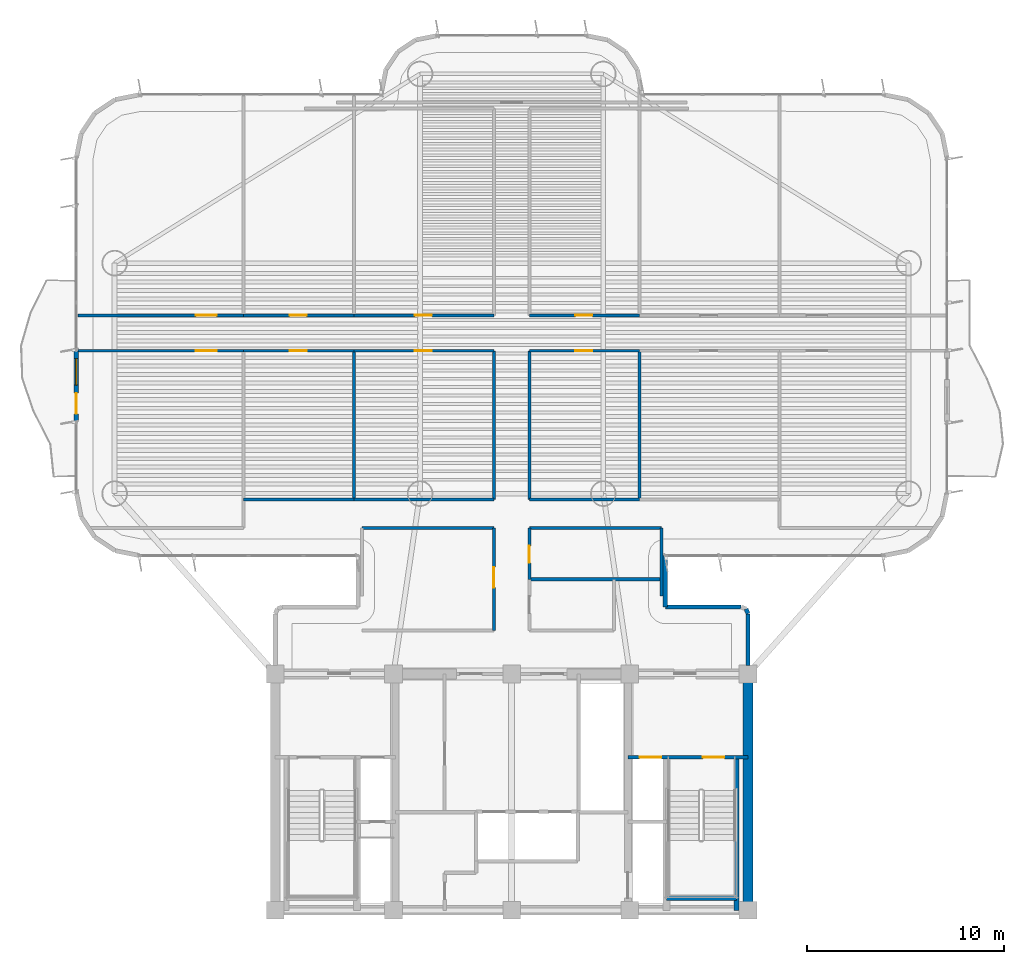
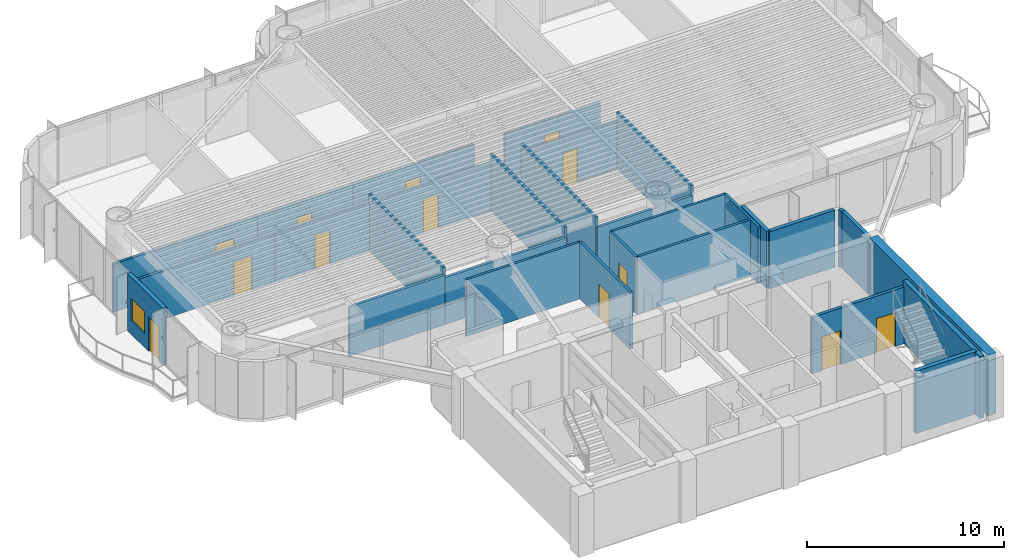
# One storey, part 10 of 16: 30 walls, 13 doors, 1 window, 14 openings.
"""IFC4 building model written with IfcOpenShell, lengths in metres."""

from ifc_helpers import new_model, si_unit, direction, frame, frame_2d, origin, origin_2d, place, context, subcontext, project, spatial, rectangle, extrude, source, transform, mapped, material, layer, layer_set, type_object, element, fill, save


model = new_model("IFC4")

# Units and contexts
model_context = context("Model", 3, precision=1e-05, world=origin(), true_north=direction((0.0, 1.0)))
body_context = subcontext(model_context, "Body", "Model", "MODEL_VIEW")
ifc_project = project(units=[si_unit("LENGTHUNIT", "METRE"), si_unit("AREAUNIT", "SQUARE_METRE"), si_unit("VOLUMEUNIT", "CUBIC_METRE"), si_unit("PLANEANGLEUNIT", "RADIAN"), si_unit("MASSUNIT", "GRAM", prefix="KILO")], contexts=[model_context])

# Site, building, storey
site_placement = place(None, origin())
site = spatial("IfcSite", under=ifc_project, at=site_placement, CompositionType="ELEMENT")
building_placement = place(site_placement, origin())
building = spatial("IfcBuilding", under=site, at=building_placement, Name="Brelvock Crest Care Tower", CompositionType="ELEMENT")
storey_placement = place(building_placement, frame((0.0, 0.0, 123.840087890625)))
storey = spatial("IfcBuildingStorey", under=building, at=storey_placement, Name="L31", CompositionType="ELEMENT", Elevation=123.840087890625)

# Walls
ifc_material_1 = material(Name="Concrete S80 (80 MPa)", Category="concrete")
ifc_layer_1 = layer(ifc_material_1, 0.5, Name="WL-CS2")
ifc_layer_set_1 = layer_set([ifc_layer_1], Name="Concrete S80 (80 MPa)")
wall_type_1 = type_object("IfcWallType", Name="WL-CS2", PredefinedType="SHEAR", material=ifc_layer_set_1)
wall_1_placement = place(storey_placement, frame((48.0, 18.0, 0.0), z_axis=(0.0, 0.0, 1.0), x_axis=(0.0, -1.0, 0.0)))
element("IfcWall", 1, at=wall_1_placement, inside=storey, type_object=wall_type_1, Name="L31 Core East Shear Wall", PredefinedType="SHEAR", context=body_context, shape_type="SweptSolid", body=[
    extrude(rectangle(XDim=12.0, YDim=0.5, at=frame_2d((6.0, 0.0))), origin(), (0.0, 0.0, 1.0), 3.780029296875),
])
ifc_layer_2 = layer(ifc_material_1, 0.25, Name="WL-CS6")
ifc_layer_set_2 = layer_set([ifc_layer_2], Name="Concrete S80 (80 MPa)")
wall_type_2 = type_object("IfcWallType", Name="WL-CS6", PredefinedType="SHEAR", material=ifc_layer_set_2)
wall_2_placement = place(storey_placement, frame((47.419921875, 6.0, 0.0), z_axis=(0.0, 0.0, 1.0), x_axis=(0.0, 1.0, 0.0)))
element("IfcWall", 2, at=wall_2_placement, inside=storey, type_object=wall_type_2, Name="L31 Core Stair ST-2 East Shear Wall", PredefinedType="SHEAR", context=body_context, shape_type="SweptSolid", body=[
    extrude(rectangle(XDim=7.780029296875, YDim=0.25, at=frame_2d((3.89013671875, 0.0))), origin(), (0.0, 0.0, 1.0), 3.849853515625),
])
wall_3_placement = place(storey_placement, frame((43.85009765625, 6.6201171875, 0.0), z_axis=(0.0, 0.0, 1.0), x_axis=(1.0, 0.0, 0.0)))
element("IfcWall", 3, at=wall_3_placement, inside=storey, type_object=wall_type_2, Name="L31 Core Stair ST-2 South Shear Wall", PredefinedType="SHEAR", context=body_context, shape_type="SweptSolid", body=[
    extrude(rectangle(XDim=3.56982421875, YDim=0.25, at=frame_2d((1.784912109375, 0.0))), origin(), (0.0, 0.0, 1.0), 3.849853515625),
])

# Wall, openings, door, window
ifc_material_2 = material(Name="Precast concrete N40 (40 MPa)", Category="concrete")
ifc_layer_3 = layer(ifc_material_2, 0.239990234375, Name="WL-EX1")
ifc_layer_set_3 = layer_set([ifc_layer_3], Name="Precast concrete N40 (40 MPa)")
wall_type_3 = type_object("IfcWallType", Name="WL-EX1", PredefinedType="SOLIDWALL", material=ifc_layer_set_3)
wall_4_placement = place(storey_placement, frame((13.89990234375, 30.800048828125, 0.0), z_axis=(0.0, 0.0, 1.0), x_axis=(0.0, 1.0, 0.0)))
wall_4 = element("IfcWall", 4, at=wall_4_placement, inside=storey, type_object=wall_type_3, Name="L31 Exterior Spandrel Wall WL-BAL-L31-W", PredefinedType="SOLIDWALL", context=body_context, shape_type="SweptSolid", body=[
    extrude(rectangle(XDim=3.599853515625, YDim=0.239990234375, at=frame_2d((1.7998046875, 0.0))), origin(), (0.0, 0.0, 1.0), 3.530029296875),
])
opening_1_placement = place(wall_4_placement, frame((0.39990234375, 0.0, 0.0)))
opening_1 = element("IfcOpeningElement", 5, at=opening_1_placement, cuts=wall_4, Name="Opening BD-1", PredefinedType="OPENING", context=body_context, shape_type="SweptSolid", body=[
    extrude(rectangle(XDim=1.050048828125, YDim=2.14990234375, at=origin_2d()), frame((0.52490234375, 0.1298828125, 1.074951171875), z_axis=(0.0, -1.0, 0.0), x_axis=(1.0, 0.0, 0.0)), (0.0, 0.0, 1.0), 0.260009765625),
])
opening_2_placement = place(wall_4_placement, frame((1.85009765625, 0.0, 0.85009765625)))
opening_2 = element("IfcOpeningElement", 6, at=opening_2_placement, cuts=wall_4, Name="Opening W-01", PredefinedType="OPENING", context=body_context, shape_type="SweptSolid", body=[
    extrude(rectangle(XDim=1.35009765625, YDim=1.35009765625, at=origin_2d()), frame((0.675048828125, 0.1298828125, 0.675048828125), z_axis=(0.0, -1.0, 0.0), x_axis=(1.0, 0.0, 0.0)), (0.0, 0.0, 1.0), 0.260009765625),
])
ifc_material_3 = material(Name="Dark Glass Double Glazed Low-E", Category="glass")
door_type_1 = type_object("IfcDoorType", Name="DR-BAL1", OperationType="NOTDEFINED", PredefinedType="DOOR", material=ifc_material_3)
shared_shape_1 = source(origin(), body_context, "Body", "SweptSolid", [
    extrude(rectangle(XDim=1.050048828125, YDim=2.14990234375, at=origin_2d()), frame((0.52490234375, 0.02490234375, 1.074951171875), z_axis=(0.0, -1.0, 0.0), x_axis=(1.0, 0.0, 0.0)), (0.0, 0.0, 1.0), 0.050048828125),
])
door_1_placement = place(opening_1_placement, origin())
door_1 = element("IfcDoor", 7, at=door_1_placement, inside=storey, type_object=door_type_1, Name="L31 W Wave Balcony Glazed Door", OperationType="SINGLE_SWING_LEFT", OverallHeight=2.14990234375, OverallWidth=1.050048828125, PredefinedType="DOOR", context=body_context, shape_type="MappedRepresentation", body=[
    mapped(shared_shape_1, transform((0.0, 0.0, 0.0), x_axis=(1.0, 0.0, 0.0), y_axis=(0.0, 1.0, 0.0), z_axis=(0.0, 0.0, 1.0), scale=1.0)),
])
fill(opening_1, door_1)
window_type = type_object("IfcWindowType", Name="WN-EX1", PartitioningType="SINGLE_PANEL", PredefinedType="WINDOW", material=ifc_material_3)
shared_shape_2 = source(origin(), body_context, "Body", "SweptSolid", [
    extrude(rectangle(XDim=1.35009765625, YDim=1.35009765625, at=origin_2d()), frame((0.675048828125, 0.030029296875, 0.675048828125), z_axis=(0.0, -1.0, 0.0), x_axis=(1.0, 0.0, 0.0)), (0.0, 0.0, 1.0), 0.06005859375),
])
window_placement = place(opening_2_placement, origin())
window = element("IfcWindow", 8, at=window_placement, inside=storey, type_object=window_type, Name="L31 W Suite Casement Window", OverallHeight=1.35009765625, OverallWidth=1.35009765625, PartitioningType="SINGLE_PANEL", PredefinedType="WINDOW", context=body_context, shape_type="MappedRepresentation", body=[
    mapped(shared_shape_2, transform((0.0, 0.0, 0.0), x_axis=(1.0, 0.0, 0.0), y_axis=(0.0, 1.0, 0.0), z_axis=(0.0, 0.0, 1.0), scale=1.0)),
])
fill(opening_2, window)

# Walls
ifc_layer_4 = layer(ifc_material_2, 0.215087890625, Name="WL-EX2")
ifc_layer_set_4 = layer_set([ifc_layer_4], Name="Precast concrete N40 (40 MPa)")
wall_type_4 = type_object("IfcWallType", Name="WL-EX2", PredefinedType="SOLIDWALL", material=ifc_layer_set_4)
wall_5_placement = place(storey_placement, frame((47.8974609375, 21.297607421875, 0.0), z_axis=(0.0, 0.0, 1.0), x_axis=(0.382673670509, -0.923883575944, 0.0)))
element("IfcWall", 9, at=wall_5_placement, inside=storey, type_object=wall_type_4, Name="L31 Rounded Corner Wall 00", PredefinedType="SOLIDWALL", context=body_context, shape_type="SweptSolid", body=[
    extrude(rectangle(XDim=0.26806640625, YDim=0.215087890625, at=frame_2d((0.134033203125, 0.0))), origin(), (0.0, 0.0, 1.0), 3.530029296875),
])
wall_6_placement = place(storey_placement, frame((48.0, 21.050048828125, 0.0), z_axis=(0.0, 0.0, 1.0), x_axis=(0.0, -1.0, 0.0)))
element("IfcWall", 10, at=wall_6_placement, inside=storey, type_object=wall_type_4, Name="L31 Rounded Corner Wall 01", PredefinedType="SOLIDWALL", context=body_context, shape_type="SweptSolid", body=[
    extrude(rectangle(XDim=2.6201171875, YDim=0.215087890625, at=frame_2d((1.31005859375, 0.0))), origin(), (0.0, 0.0, 1.0), 3.530029296875),
])
wall_7_placement = place(storey_placement, frame((43.800048828125, 24.0, 0.0), z_axis=(0.0, 0.0, 1.0), x_axis=(0.0, -1.0, 0.0)))
element("IfcWall", 11, at=wall_7_placement, inside=storey, type_object=wall_type_4, Name="L31 Rounded Corner Wall 45", PredefinedType="SOLIDWALL", context=body_context, shape_type="SweptSolid", body=[
    extrude(rectangle(XDim=2.60009765625, YDim=0.215087890625, at=frame_2d((1.300048828125, 0.0))), origin(), (0.0, 0.0, 1.0), 3.530029296875),
])
wall_8_placement = place(storey_placement, frame((43.800048828125, 21.39990234375, 0.0), z_axis=(0.0, 0.0, 1.0), x_axis=(1.0, 0.0, 0.0)))
element("IfcWall", 12, at=wall_8_placement, inside=storey, type_object=wall_type_4, Name="L31 Rounded Corner Wall 46", PredefinedType="SOLIDWALL", context=body_context, shape_type="SweptSolid", body=[
    extrude(rectangle(XDim=3.849853515625, YDim=0.215087890625, at=frame_2d((1.9248046875, 0.0))), origin(), (0.0, 0.0, 1.0), 3.530029296875),
])
ifc_material_4 = material(Name="Masonry Blockwork Acoustic Partition", Category="masonry")
ifc_layer_5 = layer(ifc_material_4, 0.14990234375, Name="WL-INT1")
ifc_layer_set_5 = layer_set([ifc_layer_5], Name="Masonry Blockwork Acoustic Partition")
wall_type_5 = type_object("IfcWallType", Name="WL-INT1", PredefinedType="PARTITIONING", material=ifc_layer_set_5)
for number, where, z_axis, x_axis, name in (
    (13, (28.39990234375, 25.39990234375, 0.0), (0.0, 0.0, 1.0), (1.0, 0.0, 0.0), "L31 Interior Wall WL-BX-L31-THW-N"),
    (14, (36.89990234375, 25.39990234375, 0.0), (0.0, 0.0, 1.0), (1.0, 0.0, 0.0), "L31 Interior Wall WL-BX-L31-THE2-N"),
):
    element("IfcWall", number, at=place(storey_placement, frame(where, z_axis=z_axis, x_axis=x_axis)), inside=storey, type_object=wall_type_5, Name=name, PredefinedType="PARTITIONING", context=body_context, shape_type="SweptSolid", body=[
        extrude(rectangle(XDim=6.7001953125, YDim=0.14990234375, at=frame_2d((3.35009765625, 0.0))), origin(), (0.0, 0.0, 1.0), 3.5),
    ])
wall_9_placement = place(storey_placement, frame((22.39990234375, 26.85009765625, 0.0), z_axis=(0.0, 0.0, 1.0), x_axis=(1.0, 0.0, 0.0)))
element("IfcWall", 15, at=wall_9_placement, inside=storey, type_object=wall_type_5, Name="L31 Interior Wall WL-BX-L31-ISW1-S", PredefinedType="PARTITIONING", context=body_context, shape_type="SweptSolid", body=[
    extrude(rectangle(XDim=5.588134765625, YDim=0.14990234375, at=frame_2d((2.7939453125, 0.0))), origin(), (0.0, 0.0, 1.0), 3.054931640625),
])
wall_10_placement = place(storey_placement, frame((27.988037109375, 26.85009765625, 0.0), z_axis=(0.0, 0.0, 1.0), x_axis=(1.0, 0.0, 0.0)))
element("IfcWall", 16, at=wall_10_placement, inside=storey, type_object=wall_type_5, Name="L31 Interior Wall WL-BX-L31-ISW2-S", PredefinedType="PARTITIONING", context=body_context, shape_type="SweptSolid", body=[
    extrude(rectangle(XDim=7.112060546875, YDim=0.14990234375, at=frame_2d((3.55615234375, 0.0))), origin(), (0.0, 0.0, 1.0), 2.90283203125),
])
wall_11_placement = place(storey_placement, frame((36.89990234375, 26.85009765625, 0.0), z_axis=(0.0, 0.0, 1.0), x_axis=(1.0, 0.0, 0.0)))
element("IfcWall", 17, at=wall_11_placement, inside=storey, type_object=wall_type_5, Name="L31 Interior Wall WL-BX-L31-ISE1-S", PredefinedType="PARTITIONING", context=body_context, shape_type="SweptSolid", body=[
    extrude(rectangle(XDim=5.588134765625, YDim=0.14990234375, at=frame_2d((2.7939453125, 0.0))), origin(), (0.0, 0.0, 1.0), 2.90283203125),
])

# Wall, opening, door
wall_12_placement = place(storey_placement, frame((13.97998046875, 34.39990234375, 0.0), z_axis=(0.0, 0.0, 1.0), x_axis=(1.0, 0.0, 0.0)))
wall_12 = element("IfcWall", 18, at=wall_12_placement, inside=storey, type_object=wall_type_5, Name="L31 Interior Wall WL-RM-L31-SW", PredefinedType="PARTITIONING", context=body_context, shape_type="SweptSolid", body=[
    extrude(rectangle(XDim=8.419921875, YDim=0.14990234375, at=frame_2d((4.2099609375, 0.0))), origin(), (0.0, 0.0, 1.0), 2.98193359375),
])
opening_3_placement = place(wall_12_placement, frame((5.9951171875, 0.0, 0.0)))
opening_3 = element("IfcOpeningElement", 19, at=opening_3_placement, cuts=wall_12, Name="Opening CLD-1", PredefinedType="OPENING", context=body_context, shape_type="SweptSolid", body=[
    extrude(rectangle(XDim=1.050048828125, YDim=2.10009765625, at=origin_2d()), frame((0.52490234375, 0.0849609375, 1.050048828125), z_axis=(0.0, -1.0, 0.0), x_axis=(1.0, 0.0, 0.0)), (0.0, 0.0, 1.0), 0.169921875),
])
ifc_material_5 = material(Name="Engineered Hardwood Timber", Category="wood")
door_type_2 = type_object("IfcDoorType", Name="DR-CLN1", OperationType="NOTDEFINED", PredefinedType="DOOR", material=ifc_material_5)
shared_shape_3 = source(origin(), body_context, "Body", "SweptSolid", [
    extrude(rectangle(XDim=1.050048828125, YDim=2.10009765625, at=origin_2d()), frame((0.52490234375, 0.02490234375, 1.050048828125), z_axis=(0.0, -1.0, 0.0), x_axis=(1.0, 0.0, 0.0)), (0.0, 0.0, 1.0), 0.050048828125),
])
door_2_placement = place(opening_3_placement, origin())
door_2 = element("IfcDoor", 20, at=door_2_placement, inside=storey, type_object=door_type_2, Name="L31 Senior Creative Art Workshop Door SW", OperationType="SINGLE_SWING_LEFT", OverallHeight=2.10009765625, OverallWidth=1.050048828125, PredefinedType="DOOR", context=body_context, shape_type="MappedRepresentation", body=[
    mapped(shared_shape_3, transform((0.0, 0.0, 0.0), x_axis=(1.0, 0.0, 0.0), y_axis=(0.0, 1.0, 0.0), z_axis=(0.0, 0.0, 1.0), scale=1.0)),
])
fill(opening_3, door_2)

wall_13_placement = place(storey_placement, frame((22.39990234375, 34.39990234375, 0.0), z_axis=(0.0, 0.0, 1.0), x_axis=(1.0, 0.0, 0.0)))
wall_13 = element("IfcWall", 21, at=wall_13_placement, inside=storey, type_object=wall_type_5, Name="L31 Interior Wall WL-RM-L31-ISW1", PredefinedType="PARTITIONING", context=body_context, shape_type="SweptSolid", body=[
    extrude(rectangle(XDim=5.588134765625, YDim=0.14990234375, at=frame_2d((2.7939453125, 0.0))), origin(), (0.0, 0.0, 1.0), 2.98193359375),
])
opening_4_placement = place(wall_13_placement, frame((2.333984375, 0.0, 0.0)))
opening_4 = element("IfcOpeningElement", 22, at=opening_4_placement, cuts=wall_13, Name="Opening ID-1", PredefinedType="OPENING", context=body_context, shape_type="SweptSolid", body=[
    extrude(rectangle(XDim=0.860107421875, YDim=2.10009765625, at=origin_2d()), frame((0.43017578125, 0.0849609375, 1.050048828125), z_axis=(0.0, -1.0, 0.0), x_axis=(1.0, 0.0, 0.0)), (0.0, 0.0, 1.0), 0.169921875),
])
door_type_3 = type_object("IfcDoorType", Name="DR-INT1", OperationType="NOTDEFINED", PredefinedType="DOOR", material=ifc_material_5)
shared_shape_4 = source(origin(), body_context, "Body", "SweptSolid", [
    extrude(rectangle(XDim=0.860107421875, YDim=2.10009765625, at=origin_2d()), frame((0.43017578125, 0.02490234375, 1.050048828125), z_axis=(0.0, -1.0, 0.0), x_axis=(1.0, 0.0, 0.0)), (0.0, 0.0, 1.0), 0.050048828125),
])
door_3_placement = place(opening_4_placement, origin())
door_3 = element("IfcDoor", 23, at=door_3_placement, inside=storey, type_object=door_type_3, Name="L31 Resident Music and Bridge Room Door ISW1", OperationType="SINGLE_SWING_LEFT", OverallHeight=2.10009765625, OverallWidth=0.860107421875, PredefinedType="DOOR", context=body_context, shape_type="MappedRepresentation", body=[
    mapped(shared_shape_4, transform((0.0, 0.0, 0.0), x_axis=(1.0, 0.0, 0.0), y_axis=(0.0, 1.0, 0.0), z_axis=(0.0, 0.0, 1.0), scale=1.0)),
])
fill(opening_4, door_3)

wall_14_placement = place(storey_placement, frame((27.988037109375, 34.39990234375, 0.0), z_axis=(0.0, 0.0, 1.0), x_axis=(1.0, 0.0, 0.0)))
wall_14 = element("IfcWall", 24, at=wall_14_placement, inside=storey, type_object=wall_type_5, Name="L31 Interior Wall WL-RM-L31-ISW2", PredefinedType="PARTITIONING", context=body_context, shape_type="SweptSolid", body=[
    extrude(rectangle(XDim=7.112060546875, YDim=0.14990234375, at=frame_2d((3.55615234375, 0.0))), origin(), (0.0, 0.0, 1.0), 2.98193359375),
])
opening_5_placement = place(wall_14_placement, frame((3.095947265625, 0.0, 0.0)))
opening_5 = element("IfcOpeningElement", 25, at=opening_5_placement, cuts=wall_14, Name="Opening ID-1", PredefinedType="OPENING", context=body_context, shape_type="SweptSolid", body=[
    extrude(rectangle(XDim=0.860107421875, YDim=2.10009765625, at=origin_2d()), frame((0.43017578125, 0.0849609375, 1.050048828125), z_axis=(0.0, -1.0, 0.0), x_axis=(1.0, 0.0, 0.0)), (0.0, 0.0, 1.0), 0.169921875),
])
door_4_placement = place(opening_5_placement, origin())
door_4 = element("IfcDoor", 26, at=door_4_placement, inside=storey, type_object=door_type_3, Name="L31 Senior Telehealth Study Door ISW2", OperationType="SINGLE_SWING_LEFT", OverallHeight=2.10009765625, OverallWidth=0.860107421875, PredefinedType="DOOR", context=body_context, shape_type="MappedRepresentation", body=[
    mapped(shared_shape_4, transform((0.0, 0.0, 0.0), x_axis=(1.0, 0.0, 0.0), y_axis=(0.0, 1.0, 0.0), z_axis=(0.0, 0.0, 1.0), scale=1.0)),
])
fill(opening_5, door_4)

wall_15_placement = place(storey_placement, frame((36.89990234375, 34.39990234375, 0.0), z_axis=(0.0, 0.0, 1.0), x_axis=(1.0, 0.0, 0.0)))
wall_15 = element("IfcWall", 27, at=wall_15_placement, inside=storey, type_object=wall_type_5, Name="L31 Interior Wall WL-RM-L31-ISE1", PredefinedType="PARTITIONING", context=body_context, shape_type="SweptSolid", body=[
    extrude(rectangle(XDim=5.588134765625, YDim=0.14990234375, at=frame_2d((2.7939453125, 0.0))), origin(), (0.0, 0.0, 1.0), 2.98193359375),
])
opening_6_placement = place(wall_15_placement, frame((2.333984375, 0.0, 0.0)))
opening_6 = element("IfcOpeningElement", 28, at=opening_6_placement, cuts=wall_15, Name="Opening ID-1", PredefinedType="OPENING", context=body_context, shape_type="SweptSolid", body=[
    extrude(rectangle(XDim=0.860107421875, YDim=2.10009765625, at=origin_2d()), frame((0.43017578125, 0.0849609375, 1.050048828125), z_axis=(0.0, -1.0, 0.0), x_axis=(1.0, 0.0, 0.0)), (0.0, 0.0, 1.0), 0.169921875),
])
door_5_placement = place(opening_6_placement, origin())
door_5 = element("IfcDoor", 29, at=door_5_placement, inside=storey, type_object=door_type_3, Name="L31 Resident Music and Bridge Room Door ISE1", OperationType="SINGLE_SWING_LEFT", OverallHeight=2.10009765625, OverallWidth=0.860107421875, PredefinedType="DOOR", context=body_context, shape_type="MappedRepresentation", body=[
    mapped(shared_shape_4, transform((0.0, 0.0, 0.0), x_axis=(1.0, 0.0, 0.0), y_axis=(0.0, 1.0, 0.0), z_axis=(0.0, 0.0, 1.0), scale=1.0)),
])
fill(opening_6, door_5)

wall_16_placement = place(storey_placement, frame((13.97998046875, 36.199951171875, 0.0), z_axis=(0.0, 0.0, 1.0), x_axis=(1.0, 0.0, 0.0)))
wall_16 = element("IfcWall", 30, at=wall_16_placement, inside=storey, type_object=wall_type_5, Name="L31 Interior Wall WL-RM-L31-NW", PredefinedType="PARTITIONING", context=body_context, shape_type="SweptSolid", body=[
    extrude(rectangle(XDim=8.419921875, YDim=0.14990234375, at=frame_2d((4.2099609375, 0.0))), origin(), (0.0, 0.0, 1.0), 2.98193359375),
])
opening_7_placement = place(wall_16_placement, frame((5.9951171875, 0.0, 0.0)))
opening_7 = element("IfcOpeningElement", 31, at=opening_7_placement, cuts=wall_16, Name="Opening CLD-1", PredefinedType="OPENING", context=body_context, shape_type="SweptSolid", body=[
    extrude(rectangle(XDim=1.050048828125, YDim=2.10009765625, at=origin_2d()), frame((0.52490234375, 0.0849609375, 1.050048828125), z_axis=(0.0, -1.0, 0.0), x_axis=(1.0, 0.0, 0.0)), (0.0, 0.0, 1.0), 0.169921875),
])
door_6_placement = place(opening_7_placement, origin())
door_6 = element("IfcDoor", 32, at=door_6_placement, inside=storey, type_object=door_type_2, Name="L31 Senior Creative Art Workshop Door NW", OperationType="SINGLE_SWING_LEFT", OverallHeight=2.10009765625, OverallWidth=1.050048828125, PredefinedType="DOOR", context=body_context, shape_type="MappedRepresentation", body=[
    mapped(shared_shape_3, transform((0.0, 0.0, 0.0), x_axis=(1.0, 0.0, 0.0), y_axis=(0.0, 1.0, 0.0), z_axis=(0.0, 0.0, 1.0), scale=1.0)),
])
fill(opening_7, door_6)

wall_17_placement = place(storey_placement, frame((22.39990234375, 36.199951171875, 0.0), z_axis=(0.0, 0.0, 1.0), x_axis=(1.0, 0.0, 0.0)))
wall_17 = element("IfcWall", 33, at=wall_17_placement, inside=storey, type_object=wall_type_5, Name="L31 Interior Wall WL-RM-L31-INW1", PredefinedType="PARTITIONING", context=body_context, shape_type="SweptSolid", body=[
    extrude(rectangle(XDim=5.588134765625, YDim=0.14990234375, at=frame_2d((2.7939453125, 0.0))), origin(), (0.0, 0.0, 1.0), 2.98193359375),
])
opening_8_placement = place(wall_17_placement, frame((2.333984375, 0.0, 0.0)))
opening_8 = element("IfcOpeningElement", 34, at=opening_8_placement, cuts=wall_17, Name="Opening ID-1", PredefinedType="OPENING", context=body_context, shape_type="SweptSolid", body=[
    extrude(rectangle(XDim=0.860107421875, YDim=2.10009765625, at=origin_2d()), frame((0.43017578125, 0.0849609375, 1.050048828125), z_axis=(0.0, -1.0, 0.0), x_axis=(1.0, 0.0, 0.0)), (0.0, 0.0, 1.0), 0.169921875),
])
door_7_placement = place(opening_8_placement, origin())
door_7 = element("IfcDoor", 35, at=door_7_placement, inside=storey, type_object=door_type_3, Name="L31 Resident Music and Bridge Room Door INW1", OperationType="SINGLE_SWING_LEFT", OverallHeight=2.10009765625, OverallWidth=0.860107421875, PredefinedType="DOOR", context=body_context, shape_type="MappedRepresentation", body=[
    mapped(shared_shape_4, transform((0.0, 0.0, 0.0), x_axis=(1.0, 0.0, 0.0), y_axis=(0.0, 1.0, 0.0), z_axis=(0.0, 0.0, 1.0), scale=1.0)),
])
fill(opening_8, door_7)

wall_18_placement = place(storey_placement, frame((27.988037109375, 36.199951171875, 0.0), z_axis=(0.0, 0.0, 1.0), x_axis=(1.0, 0.0, 0.0)))
wall_18 = element("IfcWall", 36, at=wall_18_placement, inside=storey, type_object=wall_type_5, Name="L31 Interior Wall WL-RM-L31-INW2", PredefinedType="PARTITIONING", context=body_context, shape_type="SweptSolid", body=[
    extrude(rectangle(XDim=7.112060546875, YDim=0.14990234375, at=frame_2d((3.55615234375, 0.0))), origin(), (0.0, 0.0, 1.0), 2.98193359375),
])
opening_9_placement = place(wall_18_placement, frame((3.095947265625, 0.0, 0.0)))
opening_9 = element("IfcOpeningElement", 37, at=opening_9_placement, cuts=wall_18, Name="Opening ID-1", PredefinedType="OPENING", context=body_context, shape_type="SweptSolid", body=[
    extrude(rectangle(XDim=0.860107421875, YDim=2.10009765625, at=origin_2d()), frame((0.43017578125, 0.0849609375, 1.050048828125), z_axis=(0.0, -1.0, 0.0), x_axis=(1.0, 0.0, 0.0)), (0.0, 0.0, 1.0), 0.169921875),
])
door_8_placement = place(opening_9_placement, origin())
door_8 = element("IfcDoor", 38, at=door_8_placement, inside=storey, type_object=door_type_3, Name="L31 Senior Telehealth Study Door INW2", OperationType="SINGLE_SWING_LEFT", OverallHeight=2.10009765625, OverallWidth=0.860107421875, PredefinedType="DOOR", context=body_context, shape_type="MappedRepresentation", body=[
    mapped(shared_shape_4, transform((0.0, 0.0, 0.0), x_axis=(1.0, 0.0, 0.0), y_axis=(0.0, 1.0, 0.0), z_axis=(0.0, 0.0, 1.0), scale=1.0)),
])
fill(opening_9, door_8)

wall_19_placement = place(storey_placement, frame((36.89990234375, 36.199951171875, 0.0), z_axis=(0.0, 0.0, 1.0), x_axis=(1.0, 0.0, 0.0)))
wall_19 = element("IfcWall", 39, at=wall_19_placement, inside=storey, type_object=wall_type_5, Name="L31 Interior Wall WL-RM-L31-INE1", PredefinedType="PARTITIONING", context=body_context, shape_type="SweptSolid", body=[
    extrude(rectangle(XDim=5.588134765625, YDim=0.14990234375, at=frame_2d((2.7939453125, 0.0))), origin(), (0.0, 0.0, 1.0), 2.98193359375),
])
opening_10_placement = place(wall_19_placement, frame((2.333984375, 0.0, 0.0)))
opening_10 = element("IfcOpeningElement", 40, at=opening_10_placement, cuts=wall_19, Name="Opening ID-1", PredefinedType="OPENING", context=body_context, shape_type="SweptSolid", body=[
    extrude(rectangle(XDim=0.860107421875, YDim=2.10009765625, at=origin_2d()), frame((0.43017578125, 0.0849609375, 1.050048828125), z_axis=(0.0, -1.0, 0.0), x_axis=(1.0, 0.0, 0.0)), (0.0, 0.0, 1.0), 0.169921875),
])
door_9_placement = place(opening_10_placement, origin())
door_9 = element("IfcDoor", 41, at=door_9_placement, inside=storey, type_object=door_type_3, Name="L31 Resident Music and Bridge Room Door INE1", OperationType="SINGLE_SWING_LEFT", OverallHeight=2.10009765625, OverallWidth=0.860107421875, PredefinedType="DOOR", context=body_context, shape_type="MappedRepresentation", body=[
    mapped(shared_shape_4, transform((0.0, 0.0, 0.0), x_axis=(1.0, 0.0, 0.0), y_axis=(0.0, 1.0, 0.0), z_axis=(0.0, 0.0, 1.0), scale=1.0)),
])
fill(opening_10, door_9)

# Wall
wall_20_placement = place(storey_placement, frame((27.988037109375, 26.85009765625, 0.0), z_axis=(0.0, 0.0, 1.0), x_axis=(0.0, 1.0, 0.0)))
element("IfcWall", 42, at=wall_20_placement, inside=storey, type_object=wall_type_5, Name="L31 Interior Wall WL-BX-L31-ISW1-E", PredefinedType="PARTITIONING", context=body_context, shape_type="SweptSolid", body=[
    extrude(rectangle(XDim=7.5498046875, YDim=0.14990234375, at=frame_2d((3.77490234375, 0.0))), origin(), (0.0, 0.0, 1.0), 3.5),
])

# Wall, opening, door
wall_21_placement = place(storey_placement, frame((35.10009765625, 20.199951171875, 0.0), z_axis=(0.0, 0.0, 1.0), x_axis=(0.0, 1.0, 0.0)))
wall_21 = element("IfcWall", 43, at=wall_21_placement, inside=storey, type_object=wall_type_5, Name="L31 Interior Wall WL-RM-L31-THW", PredefinedType="PARTITIONING", context=body_context, shape_type="SweptSolid", body=[
    extrude(rectangle(XDim=5.199951171875, YDim=0.14990234375, at=frame_2d((2.60009765625, 0.0))), origin(), (0.0, 0.0, 1.0), 3.5),
])
opening_11_placement = place(wall_21_placement, frame((2.175048828125, 0.0, 0.0)))
opening_11 = element("IfcOpeningElement", 44, at=opening_11_placement, cuts=wall_21, Name="Opening CLD-1", PredefinedType="OPENING", context=body_context, shape_type="SweptSolid", body=[
    extrude(rectangle(XDim=1.050048828125, YDim=2.10009765625, at=origin_2d()), frame((0.52490234375, 0.0849609375, 1.050048828125), z_axis=(0.0, -1.0, 0.0), x_axis=(1.0, 0.0, 0.0)), (0.0, 0.0, 1.0), 0.169921875),
])
door_10_placement = place(opening_11_placement, origin())
door_10 = element("IfcDoor", 45, at=door_10_placement, inside=storey, type_object=door_type_2, Name="L31 Allied Health Consultation Room Door THW", OperationType="SINGLE_SWING_LEFT", OverallHeight=2.10009765625, OverallWidth=1.050048828125, PredefinedType="DOOR", context=body_context, shape_type="MappedRepresentation", body=[
    mapped(shared_shape_3, transform((0.0, 0.0, 0.0), x_axis=(1.0, 0.0, 0.0), y_axis=(0.0, 1.0, 0.0), z_axis=(0.0, 0.0, 1.0), scale=1.0)),
])
fill(opening_11, door_10)

# Wall
wall_22_placement = place(storey_placement, frame((35.10009765625, 26.85009765625, 0.0), z_axis=(0.0, 0.0, 1.0), x_axis=(0.0, 1.0, 0.0)))
element("IfcWall", 46, at=wall_22_placement, inside=storey, type_object=wall_type_5, Name="L31 Interior Wall WL-BX-L31-ISW2-E", PredefinedType="PARTITIONING", context=body_context, shape_type="SweptSolid", body=[
    extrude(rectangle(XDim=7.5498046875, YDim=0.14990234375, at=frame_2d((3.77490234375, 0.0))), origin(), (0.0, 0.0, 1.0), 3.5),
])

# Wall, opening, door
wall_23_placement = place(storey_placement, frame((36.89990234375, 22.800048828125, 0.0), z_axis=(0.0, 0.0, 1.0), x_axis=(0.0, 1.0, 0.0)))
wall_23 = element("IfcWall", 47, at=wall_23_placement, inside=storey, type_object=wall_type_5, Name="L31 Interior Wall WL-RM-L31-THE2", PredefinedType="PARTITIONING", context=body_context, shape_type="SweptSolid", body=[
    extrude(rectangle(XDim=2.599853515625, YDim=0.14990234375, at=frame_2d((1.2998046875, 0.0))), origin(), (0.0, 0.0, 1.0), 3.5),
])
opening_12_placement = place(wall_23_placement, frame((0.840087890625, 0.0, 0.0)))
opening_12 = element("IfcOpeningElement", 48, at=opening_12_placement, cuts=wall_23, Name="Opening ID-1", PredefinedType="OPENING", context=body_context, shape_type="SweptSolid", body=[
    extrude(rectangle(XDim=0.860107421875, YDim=2.10009765625, at=origin_2d()), frame((0.43017578125, 0.0849609375, 1.050048828125), z_axis=(0.0, -1.0, 0.0), x_axis=(1.0, 0.0, 0.0)), (0.0, 0.0, 1.0), 0.169921875),
])
door_11_placement = place(opening_12_placement, origin())
door_11 = element("IfcDoor", 49, at=door_11_placement, inside=storey, type_object=door_type_3, Name="L31 Care Coordinator Office Door THE2", OperationType="SINGLE_SWING_LEFT", OverallHeight=2.10009765625, OverallWidth=0.860107421875, PredefinedType="DOOR", context=body_context, shape_type="MappedRepresentation", body=[
    mapped(shared_shape_4, transform((0.0, 0.0, 0.0), x_axis=(1.0, 0.0, 0.0), y_axis=(0.0, 1.0, 0.0), z_axis=(0.0, 0.0, 1.0), scale=1.0)),
])
fill(opening_12, door_11)

# Walls
for number, where, z_axis, x_axis, name in (
    (50, (36.89990234375, 26.85009765625, 0.0), (0.0, 0.0, 1.0), (0.0, 1.0, 0.0), "L31 Interior Wall WL-BX-L31-ISE1-W"),
    (51, (42.488037109375, 26.85009765625, 0.0), (0.0, 0.0, 1.0), (0.0, 1.0, 0.0), "L31 Interior Wall WL-BX-L31-ISE1-E"),
):
    element("IfcWall", number, at=place(storey_placement, frame(where, z_axis=z_axis, x_axis=x_axis)), inside=storey, type_object=wall_type_5, Name=name, PredefinedType="PARTITIONING", context=body_context, shape_type="SweptSolid", body=[
        extrude(rectangle(XDim=7.5498046875, YDim=0.14990234375, at=frame_2d((3.77490234375, 0.0))), origin(), (0.0, 0.0, 1.0), 3.5),
    ])
wall_24_placement = place(storey_placement, frame((43.60009765625, 21.95751953125, 0.0), z_axis=(0.0, 0.0, 1.0), x_axis=(0.0, 1.0, 0.0)))
element("IfcWall", 52, at=wall_24_placement, inside=storey, type_object=wall_type_5, Name="L31 Interior Wall WL-BX-L31-THE2-E", PredefinedType="PARTITIONING", context=body_context, shape_type="SweptSolid", body=[
    extrude(rectangle(XDim=3.4423828125, YDim=0.14990234375, at=frame_2d((1.72119140625, 0.0))), origin(), (0.0, 0.0, 1.0), 3.5),
])
ifc_material_6 = material(Name="Gypsum Plasterboard Partition", Category="gypsum")
ifc_layer_6 = layer(ifc_material_6, 0.159912109375, Name="WL-PLM1")
ifc_layer_set_6 = layer_set([ifc_layer_6], Name="Gypsum Plasterboard Partition")
wall_type_6 = type_object("IfcWallType", Name="WL-PLM1", PredefinedType="PLUMBINGWALL", material=ifc_layer_set_6)
wall_25_placement = place(storey_placement, frame((36.89990234375, 22.800048828125, 0.0), z_axis=(0.0, 0.0, 1.0), x_axis=(1.0, 0.0, 0.0)))
element("IfcWall", 53, at=wall_25_placement, inside=storey, type_object=wall_type_6, Name="L31 Interior Wall WL-BX-L31-THE2-S", PredefinedType="PLUMBINGWALL", context=body_context, shape_type="SweptSolid", body=[
    extrude(rectangle(XDim=6.820068359375, YDim=0.159912109375, at=frame_2d((3.41015625, 0.0))), origin(), (0.0, 0.0, 1.0), 3.5),
])

# Wall, openings, doors
ifc_layer_7 = layer(ifc_material_4, 0.179931640625, Name="WL-SHF1")
ifc_layer_set_7 = layer_set([ifc_layer_7], Name="Masonry Blockwork Acoustic Partition")
wall_type_7 = type_object("IfcWallType", Name="WL-SHF1", PredefinedType="PARTITIONING", material=ifc_layer_set_7)
wall_26_placement = place(storey_placement, frame((41.89990234375, 13.780029296875, 0.0), z_axis=(0.0, 0.0, 1.0), x_axis=(1.0, 0.0, 0.0)))
wall_26 = element("IfcWall", 54, at=wall_26_placement, inside=storey, type_object=wall_type_7, Name="L31 Interior Wall WL-ST2-N-L31", PredefinedType="PARTITIONING", context=body_context, shape_type="SweptSolid", body=[
    extrude(rectangle(XDim=6.10009765625, YDim=0.179931640625, at=frame_2d((3.050048828125, 0.0))), origin(), (0.0, 0.0, 1.0), 3.5),
])
opening_13_placement = place(wall_26_placement, frame((0.60009765625, 0.0, 0.0)))
opening_13 = element("IfcOpeningElement", 55, at=opening_13_placement, cuts=wall_26, Name="Opening LD", PredefinedType="OPENING", context=body_context, shape_type="SweptSolid", body=[
    extrude(rectangle(XDim=1.10009765625, YDim=2.10009765625, at=origin_2d()), frame((0.550048828125, 0.10009765625, 1.050048828125), z_axis=(0.0, -1.0, 0.0), x_axis=(1.0, 0.0, 0.0)), (0.0, 0.0, 1.0), 0.199951171875),
])
opening_14_placement = place(wall_26_placement, frame((3.800048828125, 0.0, 0.0)))
opening_14 = element("IfcOpeningElement", 56, at=opening_14_placement, cuts=wall_26, Name="Opening SD-1", PredefinedType="OPENING", context=body_context, shape_type="SweptSolid", body=[
    extrude(rectangle(XDim=1.10009765625, YDim=2.10009765625, at=origin_2d()), frame((0.550048828125, 0.10009765625, 1.050048828125), z_axis=(0.0, -1.0, 0.0), x_axis=(1.0, 0.0, 0.0)), (0.0, 0.0, 1.0), 0.199951171875),
])
ifc_material_7 = material(Name="Steel Grade 350", Category="steel")
door_type_4 = type_object("IfcDoorType", Name="DR-ST1", OperationType="NOTDEFINED", PredefinedType="DOOR", material=ifc_material_7)
shared_shape_5 = source(origin(), body_context, "Body", "SweptSolid", [
    extrude(rectangle(XDim=1.10009765625, YDim=2.10009765625, at=origin_2d()), frame((0.550048828125, 0.02490234375, 1.050048828125), z_axis=(0.0, -1.0, 0.0), x_axis=(1.0, 0.0, 0.0)), (0.0, 0.0, 1.0), 0.050048828125),
])
door_12_placement = place(opening_14_placement, origin())
door_12 = element("IfcDoor", 57, at=door_12_placement, inside=storey, type_object=door_type_4, Name="L31 Fire Stair ST-2 Door", OperationType="SINGLE_SWING_RIGHT", OverallHeight=2.10009765625, OverallWidth=1.10009765625, PredefinedType="DOOR", context=body_context, shape_type="MappedRepresentation", body=[
    mapped(shared_shape_5, transform((0.0, 0.0, 0.0), x_axis=(1.0, 0.0, 0.0), y_axis=(0.0, 1.0, 0.0), z_axis=(0.0, 0.0, 1.0), scale=1.0)),
])
fill(opening_14, door_12)
door_type_5 = type_object("IfcDoorType", Name="DR-LD1", OperationType="NOTDEFINED", PredefinedType="DOOR", material=ifc_material_7)
shared_shape_6 = source(origin(), body_context, "Body", "SweptSolid", [
    extrude(rectangle(XDim=1.10009765625, YDim=2.10009765625, at=origin_2d()), frame((0.550048828125, 0.02490234375, 1.050048828125), z_axis=(0.0, -1.0, 0.0), x_axis=(1.0, 0.0, 0.0)), (0.0, 0.0, 1.0), 0.050048828125),
])
door_13_placement = place(opening_13_placement, origin())
door_13 = element("IfcDoor", 58, at=door_13_placement, inside=storey, type_object=door_type_5, Name="L31 Firefighting Lift FFL-2 Landing Door", OperationType="SLIDING_TO_RIGHT", OverallHeight=2.10009765625, OverallWidth=1.10009765625, PredefinedType="DOOR", context=body_context, shape_type="MappedRepresentation", body=[
    mapped(shared_shape_6, transform((0.0, 0.0, 0.0), x_axis=(1.0, 0.0, 0.0), y_axis=(0.0, 1.0, 0.0), z_axis=(0.0, 0.0, 1.0), scale=1.0)),
])
fill(opening_13, door_13)

save(model, "model.ifc")
